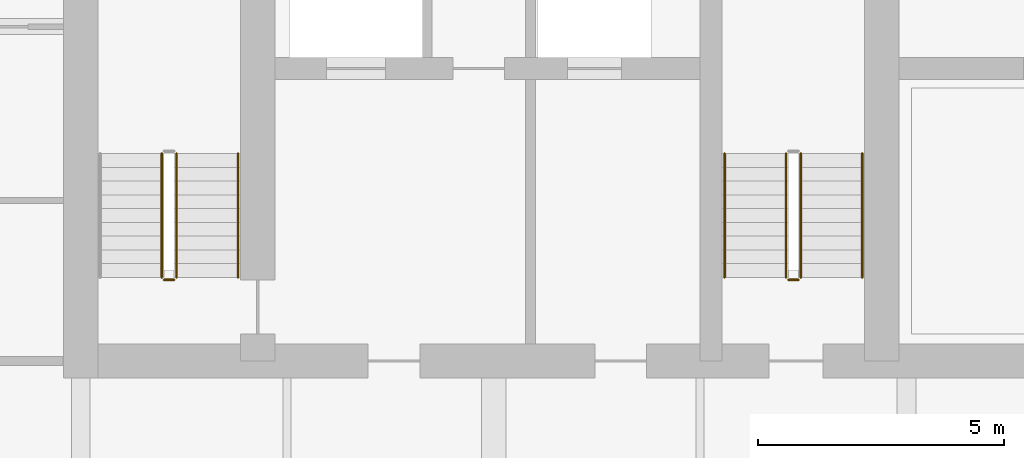
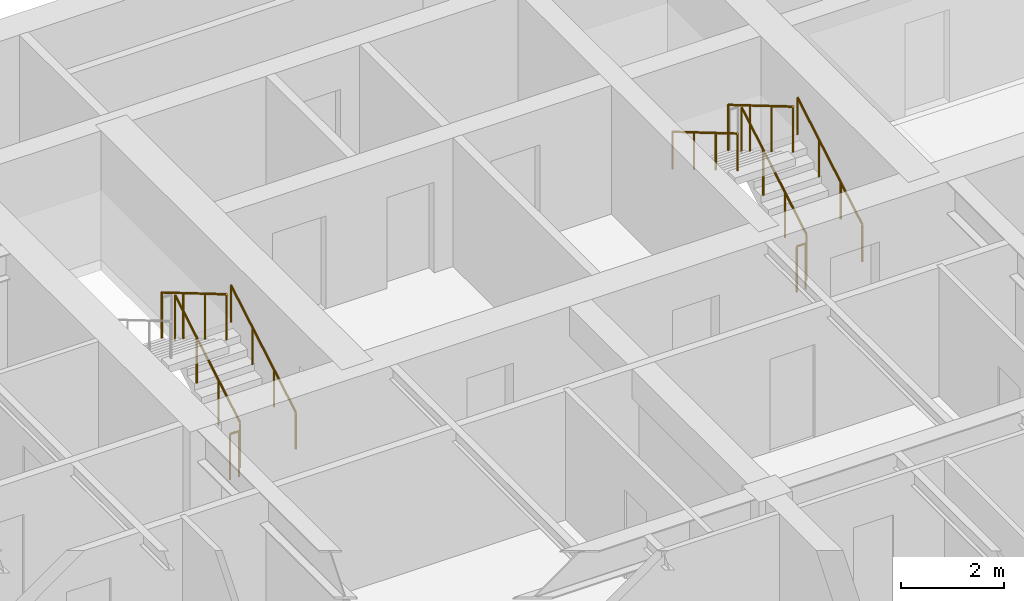
# One storey, part 15 of 19: 9 railings.
"""IFC4 building model written with IfcOpenShell, lengths in metres."""

from ifc_helpers import new_model, si_unit, direction, frame, origin, origin_2d, place, context, subcontext, project, spatial, circle, extrude, material, type_object, element, save


model = new_model("IFC4")

# Units and contexts
model_context = context("Model", 3, precision=1e-05, world=origin(), true_north=direction((0.0, 1.0)))
body_context = subcontext(model_context, "Body", "Model", "MODEL_VIEW")
ifc_project = project(units=[si_unit("LENGTHUNIT", "METRE"), si_unit("AREAUNIT", "SQUARE_METRE"), si_unit("VOLUMEUNIT", "CUBIC_METRE"), si_unit("PLANEANGLEUNIT", "RADIAN"), si_unit("MASSUNIT", "GRAM", prefix="KILO")], contexts=[model_context])

# Site, building, storey
site_placement = place(None, origin())
site = spatial("IfcSite", under=ifc_project, at=site_placement, CompositionType="ELEMENT")
building_placement = place(site_placement, origin())
building = spatial("IfcBuilding", under=site, at=building_placement, Name="Caelmar Bay Residences", CompositionType="ELEMENT")
storey_placement = place(building_placement, frame((0.0, 0.0, 256.199951171875)))
storey = spatial("IfcBuildingStorey", under=building, at=storey_placement, Name="L72", CompositionType="ELEMENT", Elevation=256.199951171875)

# Railings
ifc_material_1 = material(Name="Painted galvanized steel stair guard 1100 mm", Category="steel")
railing_type_1 = type_object("IfcRailingType", Name="RL-GRD-1100", PredefinedType="GUARDRAIL", material=ifc_material_1)
railing_1_placement = place(storey_placement, frame((20.25, 38.699951171875, 0.1650390625)))
element("IfcRailing", 1, at=railing_1_placement, inside=storey, type_object=railing_type_1, Name="L72 ST1 stair guard 1", PredefinedType="GUARDRAIL", context=body_context, shape_type="SweptSolid", body=[
    extrude(circle(Radius=0.02392578125, at=origin_2d()), frame((0.0, 0.0, 1.076171875), z_axis=(0.0, 0.86152411907, 0.507716645641), x_axis=(-1.0, 0.0, 0.0)), (0.0, 0.0, 1.0), 2.925048828125),
    extrude(circle(Radius=0.02099609375, at=origin_2d()), origin(), (0.0, 0.0, 1.0), 1.052001953125),
    extrude(circle(Radius=0.02099609375, at=origin_2d()), frame((0.0, 0.840087890625, 0.4951171875)), (0.0, 0.0, 1.0), 1.052001953125),
    extrude(circle(Radius=0.02099609375, at=origin_2d()), frame((0.0, 1.679931640625, 0.989990234375)), (0.0, 0.0, 1.0), 1.052001953125),
    extrude(circle(Radius=0.02099609375, at=origin_2d()), frame((0.0, 2.52001953125, 1.485107421875)), (0.0, 0.0, 1.0), 1.052001953125),
])
railing_2_placement = place(storey_placement, frame((19.949951171875, 41.219970703125, 1.81494140625)))
element("IfcRailing", 2, at=railing_2_placement, inside=storey, type_object=railing_type_1, Name="L72 ST1 stair guard 3", PredefinedType="GUARDRAIL", context=body_context, shape_type="SweptSolid", body=[
    extrude(circle(Radius=0.02392578125, at=origin_2d()), frame((0.0, 0.0, 1.076171875), z_axis=(0.0, -0.86152411907, 0.507716645641), x_axis=(1.0, 0.0, 0.0)), (0.0, 0.0, 1.0), 2.925048828125),
    extrude(circle(Radius=0.02099609375, at=origin_2d()), origin(), (0.0, 0.0, 1.0), 1.052001953125),
    extrude(circle(Radius=0.02099609375, at=origin_2d()), frame((0.0, -0.840087890625, 0.4951171875)), (0.0, 0.0, 1.0), 1.052001953125),
    extrude(circle(Radius=0.02099609375, at=origin_2d()), frame((0.0, -1.679931640625, 0.989990234375)), (0.0, 0.0, 1.0), 1.052001953125),
    extrude(circle(Radius=0.02099609375, at=origin_2d()), frame((0.0, -2.52001953125, 1.485107421875)), (0.0, 0.0, 1.0), 1.052001953125),
])
railing_3_placement = place(storey_placement, frame((20.199951171875, 38.64990234375, 0.0)))
element("IfcRailing", 3, at=railing_3_placement, inside=storey, type_object=railing_type_1, Name="L72 ST1 stair guard 4", PredefinedType="GUARDRAIL", context=body_context, shape_type="SweptSolid", body=[
    extrude(circle(Radius=0.02392578125, at=origin_2d()), frame((0.0, 0.0, 1.076171875), z_axis=(-1.0, 0.0, 0.0), x_axis=(0.0, -1.0, 0.0)), (0.0, 0.0, 1.0), 0.199951171875),
    extrude(circle(Radius=0.02099609375, at=origin_2d()), origin(), (0.0, 0.0, 1.0), 1.052001953125),
    extrude(circle(Radius=0.02099609375, at=origin_2d()), frame((-0.199951171875, 0.0, 0.0)), (0.0, 0.0, 1.0), 1.052001953125),
])
railing_4_placement = place(storey_placement, frame((32.949951171875, 38.699951171875, 0.1650390625)))
element("IfcRailing", 4, at=railing_4_placement, inside=storey, type_object=railing_type_1, Name="L72 ST3 stair guard 1", PredefinedType="GUARDRAIL", context=body_context, shape_type="SweptSolid", body=[
    extrude(circle(Radius=0.02392578125, at=origin_2d()), frame((0.0, 0.0, 1.076171875), z_axis=(0.0, 0.86152411907, 0.507716645641), x_axis=(-1.0, 0.0, 0.0)), (0.0, 0.0, 1.0), 2.925048828125),
    extrude(circle(Radius=0.02099609375, at=origin_2d()), origin(), (0.0, 0.0, 1.0), 1.052001953125),
    extrude(circle(Radius=0.02099609375, at=origin_2d()), frame((0.0, 0.840087890625, 0.4951171875)), (0.0, 0.0, 1.0), 1.052001953125),
    extrude(circle(Radius=0.02099609375, at=origin_2d()), frame((0.0, 1.679931640625, 0.989990234375)), (0.0, 0.0, 1.0), 1.052001953125),
    extrude(circle(Radius=0.02099609375, at=origin_2d()), frame((0.0, 2.52001953125, 1.485107421875)), (0.0, 0.0, 1.0), 1.052001953125),
])
railing_5_placement = place(storey_placement, frame((32.64990234375, 41.219970703125, 1.81494140625)))
element("IfcRailing", 5, at=railing_5_placement, inside=storey, type_object=railing_type_1, Name="L72 ST3 stair guard 3", PredefinedType="GUARDRAIL", context=body_context, shape_type="SweptSolid", body=[
    extrude(circle(Radius=0.02392578125, at=origin_2d()), frame((0.0, 0.0, 1.076171875), z_axis=(0.0, -0.86152411907, 0.507716645641), x_axis=(1.0, 0.0, 0.0)), (0.0, 0.0, 1.0), 2.925048828125),
    extrude(circle(Radius=0.02099609375, at=origin_2d()), origin(), (0.0, 0.0, 1.0), 1.052001953125),
    extrude(circle(Radius=0.02099609375, at=origin_2d()), frame((0.0, -0.840087890625, 0.4951171875)), (0.0, 0.0, 1.0), 1.052001953125),
    extrude(circle(Radius=0.02099609375, at=origin_2d()), frame((0.0, -1.679931640625, 0.989990234375)), (0.0, 0.0, 1.0), 1.052001953125),
    extrude(circle(Radius=0.02099609375, at=origin_2d()), frame((0.0, -2.52001953125, 1.485107421875)), (0.0, 0.0, 1.0), 1.052001953125),
])
railing_6_placement = place(storey_placement, frame((32.89990234375, 38.64990234375, 0.0)))
element("IfcRailing", 6, at=railing_6_placement, inside=storey, type_object=railing_type_1, Name="L72 ST3 stair guard 4", PredefinedType="GUARDRAIL", context=body_context, shape_type="SweptSolid", body=[
    extrude(circle(Radius=0.02392578125, at=origin_2d()), frame((0.0, 0.0, 1.076171875), z_axis=(-1.0, 0.0, 0.0), x_axis=(0.0, -1.0, 0.0)), (0.0, 0.0, 1.0), 0.199951171875),
    extrude(circle(Radius=0.02099609375, at=origin_2d()), origin(), (0.0, 0.0, 1.0), 1.052001953125),
    extrude(circle(Radius=0.02099609375, at=origin_2d()), frame((-0.199951171875, 0.0, 0.0)), (0.0, 0.0, 1.0), 1.052001953125),
])
ifc_material_2 = material(Name="Brushed bronze stainless-steel tubular handrail 900 mm", Category="steel")
railing_type_2 = type_object("IfcRailingType", Name="RL-HND-900", PredefinedType="HANDRAIL", material=ifc_material_2)
for number, where, name in (
    (7, (21.5, 38.699951171875, 0.1650390625), "L72 ST1 stair handrail 1"),
    (8, (34.199951171875, 38.699951171875, 0.1650390625), "L72 ST3 stair handrail 1"),
):
    element("IfcRailing", number, at=place(storey_placement, frame(where)), inside=storey, type_object=railing_type_2, Name=name, PredefinedType="HANDRAIL", context=body_context, shape_type="SweptSolid", body=[
        extrude(circle(Radius=0.02392578125, at=origin_2d()), frame((0.0, 0.0, 0.8759765625), z_axis=(0.0, 0.86152411907, 0.507716645641), x_axis=(-1.0, 0.0, 0.0)), (0.0, 0.0, 1.0), 2.925048828125),
        extrude(circle(Radius=0.02099609375, at=origin_2d()), origin(), (0.0, 0.0, 1.0), 0.851806640625),
        extrude(circle(Radius=0.02099609375, at=origin_2d()), frame((0.0, 0.840087890625, 0.4951171875)), (0.0, 0.0, 1.0), 0.851806640625),
        extrude(circle(Radius=0.02099609375, at=origin_2d()), frame((0.0, 1.679931640625, 0.989990234375)), (0.0, 0.0, 1.0), 0.851806640625),
        extrude(circle(Radius=0.02099609375, at=origin_2d()), frame((0.0, 2.52001953125, 1.485107421875)), (0.0, 0.0, 1.0), 0.851806640625),
    ])
railing_7_placement = place(storey_placement, frame((31.39990234375, 41.219970703125, 1.81494140625)))
element("IfcRailing", 9, at=railing_7_placement, inside=storey, type_object=railing_type_2, Name="L72 ST3 stair handrail 2", PredefinedType="HANDRAIL", context=body_context, shape_type="SweptSolid", body=[
    extrude(circle(Radius=0.02392578125, at=origin_2d()), frame((0.0, 0.0, 0.8759765625), z_axis=(0.0, -0.86152411907, 0.507716645641), x_axis=(1.0, 0.0, 0.0)), (0.0, 0.0, 1.0), 2.925048828125),
    extrude(circle(Radius=0.02099609375, at=origin_2d()), origin(), (0.0, 0.0, 1.0), 0.851806640625),
    extrude(circle(Radius=0.02099609375, at=origin_2d()), frame((0.0, -0.840087890625, 0.4951171875)), (0.0, 0.0, 1.0), 0.851806640625),
    extrude(circle(Radius=0.02099609375, at=origin_2d()), frame((0.0, -1.679931640625, 0.989990234375)), (0.0, 0.0, 1.0), 0.851806640625),
    extrude(circle(Radius=0.02099609375, at=origin_2d()), frame((0.0, -2.52001953125, 1.485107421875)), (0.0, 0.0, 1.0), 0.851806640625),
])

save(model, "model.ifc")
